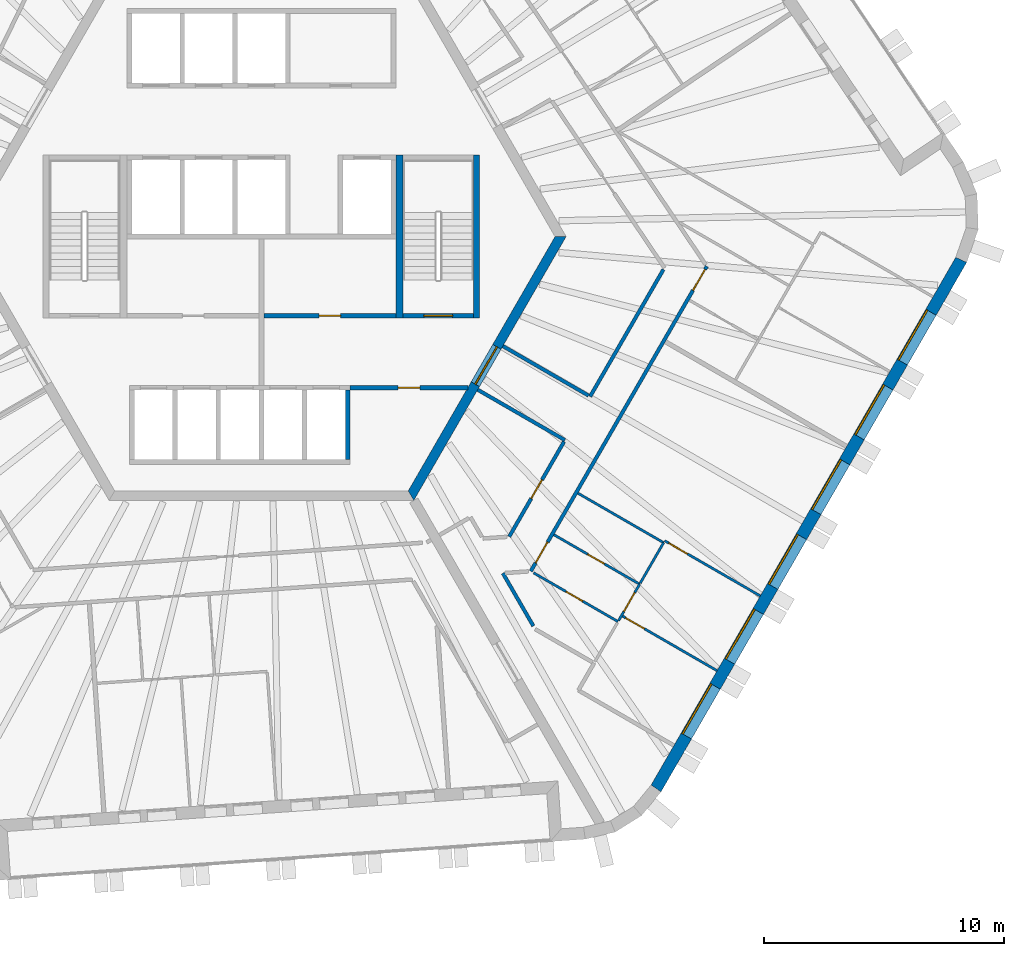
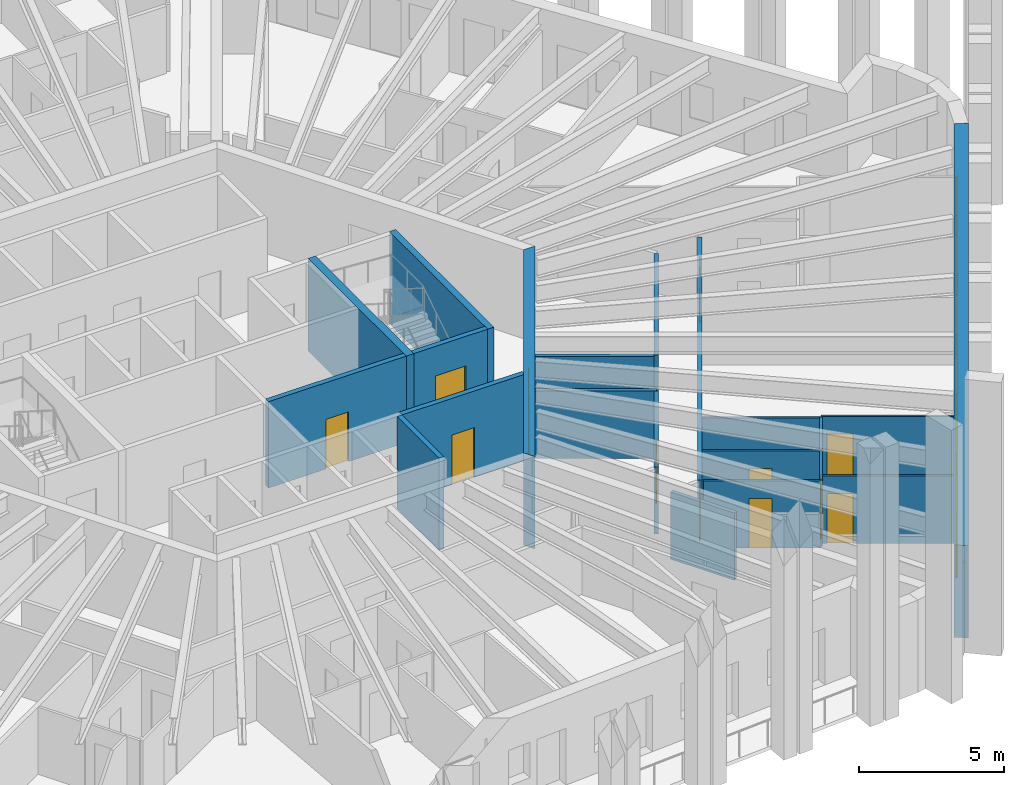
# One storey, part 6 of 13: 21 walls, 12 doors, 6 windows, 18 openings.
"""IFC4 building model written with IfcOpenShell, lengths in metres."""

import ifcopenshell
import ifcopenshell.guid

model = None  # the IFC model being written
_history = None  # IfcOwnerHistory: only IFC2X3 demands one
_inside = {}  # id of a spatial element -> (the spatial element, [elements in it])
_under = {}  # id of a project, library or spatial element -> (it, [spatial elements below it])
_declared = {}  # id of a project -> (the project, [libraries it declares])
_typed = {}  # id of a type object -> (the type object, [elements of that type])
_made_of = {}  # id of a material, layer set ... -> (it, [elements and type objects made of it])


def new_model(schema):
    """Start an empty IFC model of exactly this schema.

    Asked for "IFC4X3", IfcOpenShell would pick the latest addendum, in which some entities
    have other attributes; the version numbers below select the first issue.
    IFC2X3 requires an IfcOwnerHistory on every rooted entity: one is made here for all.
    """
    global model, _history
    if schema == "IFC4X3":
        model = ifcopenshell.file(schema_version=(4, 3, 0, 0))
    else:
        model = ifcopenshell.file(schema=schema)
    _inside.clear()
    _under.clear()
    _declared.clear()
    _typed.clear()
    _made_of.clear()
    _history = None
    if model.schema == "IFC2X3":
        org = make("IfcOrganization", Name="unknown")
        user = make(
            "IfcPersonAndOrganization",
            ThePerson=make("IfcPerson", FamilyName="unknown"),
            TheOrganization=org,
        )
        app = make(
            "IfcApplication",
            ApplicationDeveloper=org,
            Version="unknown",
            ApplicationFullName="unknown",
            ApplicationIdentifier="unknown",
        )
        _history = make(
            "IfcOwnerHistory",
            OwningUser=user,
            OwningApplication=app,
            ChangeAction="ADDED",
            CreationDate=0,
        )
    return model


def make(cls, **values):
    """One entity of the class cls with the attributes given. An attribute that is None is left unset."""
    return model.create_entity(
        cls, **{name: value for name, value in values.items() if value is not None}
    )


def rooted(cls, **values):
    """An entity with a GlobalId (a new one), such as an element, a storey or a relation."""
    return make(cls, GlobalId=ifcopenshell.guid.new(), OwnerHistory=_history, **values)


def si_unit(unit_type, name, prefix=None):
    """IfcSIUnit, for example si_unit("LENGTHUNIT", "METRE", prefix="MILLI")."""
    return make("IfcSIUnit", UnitType=unit_type, Prefix=prefix, Name=name)


def assignment(units):
    """IfcUnitAssignment: the units of a project."""
    return None if units is None else make("IfcUnitAssignment", Units=units)


def point(xyz):
    """IfcCartesianPoint."""
    return None if xyz is None else make("IfcCartesianPoint", Coordinates=xyz)


def direction(xyz):
    """IfcDirection."""
    return None if xyz is None else make("IfcDirection", DirectionRatios=xyz)


def frame(location, z_axis=None, x_axis=None):
    """IfcAxis2Placement3D, a coordinate frame: its origin and axes. An axis left out is left unset."""
    return make(
        "IfcAxis2Placement3D",
        Location=point(location),
        Axis=direction(z_axis),
        RefDirection=direction(x_axis),
    )


def frame_2d(location, x_axis=None):
    """IfcAxis2Placement2D, a coordinate frame in the plane: its origin and x axis."""
    return make(
        "IfcAxis2Placement2D", Location=point(location), RefDirection=direction(x_axis)
    )


def origin():
    """The frame at (0, 0, 0) with its axes left unset."""
    return frame((0.0, 0.0, 0.0))


def place(relative_to, where):
    """IfcLocalPlacement: puts the frame where relative to a parent placement (None: the world)."""
    return make(
        "IfcLocalPlacement", PlacementRelTo=relative_to, RelativePlacement=where
    )


def context(
    kind, dimensions, precision=None, world=None, true_north=None, identifier=None
):
    """IfcGeometricRepresentationContext, for example the 3D "Model" context."""
    return make(
        "IfcGeometricRepresentationContext",
        ContextIdentifier=identifier,
        ContextType=kind,
        CoordinateSpaceDimension=dimensions,
        Precision=precision,
        WorldCoordinateSystem=world,
        TrueNorth=true_north,
    )


def subcontext(parent, identifier, kind, view, scale=None):
    """IfcGeometricRepresentationSubContext, for example "Body" below "Model"."""
    return make(
        "IfcGeometricRepresentationSubContext",
        ContextIdentifier=identifier,
        ContextType=kind,
        ParentContext=parent,
        TargetScale=scale,
        TargetView=view,
    )


def project(units=None, contexts=None):
    """IfcProject with its units and contexts."""
    return rooted(
        "IfcProject",
        Name="project",
        RepresentationContexts=contexts,
        UnitsInContext=assignment(units),
    )


def spatial(cls, under=None, at=None, **own):
    """A site, building, storey or space (cls), placed at a placement, below another one or the project."""
    s = rooted(cls, ObjectPlacement=at, **own)
    if under is not None:
        _under.setdefault(under.id(), (under, []))[1].append(s)
    return s


def polyline(points):
    """IfcPolyline through the points."""
    return make("IfcPolyline", Points=[point(p) for p in points])


def profile(cls, at=None, kind="AREA", **sizes):
    """A parametric profile (cls). Its sizes go by their IFC names, for example OverallWidth=200.0."""
    return make(cls, ProfileType=kind, Position=at, **sizes)


def rectangle(**sizes):
    """IfcRectangleProfileDef."""
    return profile("IfcRectangleProfileDef", **sizes)


def outline(outer, holes=None, kind="AREA"):
    """IfcArbitraryClosedProfileDef: a profile drawn as a closed curve; with holes, ...WithVoids."""
    if holes is None:
        return make("IfcArbitraryClosedProfileDef", ProfileType=kind, OuterCurve=outer)
    return make(
        "IfcArbitraryProfileDefWithVoids",
        ProfileType=kind,
        OuterCurve=outer,
        InnerCurves=holes,
    )


def extrude(swept, where, along, depth):
    """IfcExtrudedAreaSolid: the profile swept, set in the frame where, extruded along a direction by depth."""
    return make(
        "IfcExtrudedAreaSolid",
        SweptArea=swept,
        Position=where,
        ExtrudedDirection=direction(along),
        Depth=depth,
    )


def shape(context_of_items, identifier, shape_type, items):
    """IfcShapeRepresentation: the items that make up one representation, for example the "Body"."""
    return make(
        "IfcShapeRepresentation",
        ContextOfItems=context_of_items,
        RepresentationIdentifier=identifier,
        RepresentationType=shape_type,
        Items=items,
    )


def material(Name=None, Category=None):
    """IfcMaterial."""
    return make("IfcMaterial", Name=Name, Category=Category)


def layer(
    of_material, thickness, ventilated=None, Name=None, Category=None, Priority=None
):
    """IfcMaterialLayer: one layer of a wall or slab, of a material (None: an air gap)."""
    return make(
        "IfcMaterialLayer",
        Material=of_material,
        LayerThickness=thickness,
        IsVentilated=ventilated,
        Name=Name,
        Category=Category,
        Priority=Priority,
    )


def layer_set(layers, Name=None):
    """IfcMaterialLayerSet."""
    return make("IfcMaterialLayerSet", MaterialLayers=layers, LayerSetName=Name)


def made_of(thing, what):
    """Note that an element or type object is made of a material, layer set ...; save() writes the relation."""
    if what is not None:
        _made_of.setdefault(what.id(), (what, []))[1].append(thing)
    return thing


def type_object(cls, material=None, **own):
    """A type object (cls), such as IfcWallType, which elements share."""
    return made_of(rooted(cls, **own), material)


def element(
    cls,
    number,
    at=None,
    inside=None,
    cuts=None,
    type_object=None,
    material=None,
    context=None,
    identifier="Body",
    shape_type=None,
    held_by="IfcProductDefinitionShape",
    body=None,
    shapes=None,
    **own,
):
    """One element of the class cls, such as IfcWall. Its Tag is "e" and its number.

    at: its placement. inside: the storey or other place that contains it. cuts: it is an
    opening in that element (IfcRelVoidsElement). A single representation is given by context,
    identifier, shape_type and body (its items); several are given by shapes. held_by: the class
    of the entity that holds the representations. save() writes the other relations.
    """
    e = rooted(cls, Tag="e%d" % number, ObjectPlacement=at, **own)
    if body is not None:
        shapes = [shape(context, identifier, shape_type, body)]
    if shapes is not None:
        e.Representation = make(held_by, Representations=shapes)
    if inside is not None:
        _inside.setdefault(inside.id(), (inside, []))[1].append(e)
    if cuts is not None:
        rooted(
            "IfcRelVoidsElement", RelatingBuildingElement=cuts, RelatedOpeningElement=e
        )
    if type_object is not None:
        _typed.setdefault(type_object.id(), (type_object, []))[1].append(e)
    return made_of(e, material)


def fill(opening, filler):
    """IfcRelFillsElement: the door or window that sits in an opening."""
    return rooted(
        "IfcRelFillsElement",
        RelatingOpeningElement=opening,
        RelatedBuildingElement=filler,
    )


def aggregate(whole, parts):
    """IfcRelAggregates: a whole, such as a stair, and the parts it consists of."""
    return rooted("IfcRelAggregates", RelatingObject=whole, RelatedObjects=parts)


def save(model, path):
    """Write the relations noted so far, then the file.

    IfcRelAggregates (storeys below a building ...), IfcRelContainedInSpatialStructure (elements
    in a storey), IfcRelDefinesByType, IfcRelAssociatesMaterial and IfcRelDeclares: one each for
    every whole, place, type object, material and project.
    """
    for whole, parts in _under.values():
        aggregate(whole, parts)
    for where, things in _inside.values():
        rooted(
            "IfcRelContainedInSpatialStructure",
            RelatedElements=things,
            RelatingStructure=where,
        )
    for kind, things in _typed.values():
        rooted("IfcRelDefinesByType", RelatedObjects=things, RelatingType=kind)
    for what, things in _made_of.values():
        rooted("IfcRelAssociatesMaterial", RelatedObjects=things, RelatingMaterial=what)
    for by, libraries in _declared.values():
        rooted("IfcRelDeclares", RelatingContext=by, RelatedDefinitions=libraries)
    model.write(path)


model = new_model("IFC4")

# Units and contexts
model_context = context("Model", 3, precision=1e-05, world=origin(), true_north=direction((0.0, 1.0)))
body_context = subcontext(model_context, "Body", "Model", "MODEL_VIEW")
ifc_project = project(units=[si_unit("LENGTHUNIT", "METRE"), si_unit("AREAUNIT", "SQUARE_METRE"), si_unit("VOLUMEUNIT", "CUBIC_METRE"), si_unit("PLANEANGLEUNIT", "RADIAN"), si_unit("MASSUNIT", "GRAM", prefix="KILO")], contexts=[model_context])

# Site, building, storey
site_placement = place(None, origin())
site = spatial("IfcSite", under=ifc_project, at=site_placement, CompositionType="ELEMENT")
building_placement = place(site_placement, origin())
building = spatial("IfcBuilding", under=site, at=building_placement, Name="Tarnside Tower", CompositionType="ELEMENT")
storey_placement = place(building_placement, frame((0.0, 0.0, 326.39990234375)))
storey = spatial("IfcBuildingStorey", under=building, at=storey_placement, Name="L79", CompositionType="ELEMENT", Elevation=326.39990234375)

# Wall
ifc_material_1 = material(Name="Gypsum board partition on steel studs", Category="steel")
ifc_layer_1 = layer(ifc_material_1, 0.10009765625)
ifc_layer_set_1 = layer_set([ifc_layer_1], Name="Bathroom wall 100")
wall_type_1 = type_object("IfcWallType", Name="Bathroom wall 100", PredefinedType="PARTITIONING", material=ifc_layer_set_1)
wall_1_placement = place(storey_placement, frame((13.194091796875, -10.697265625, 0.0), z_axis=(0.0, 0.0, 1.0), x_axis=(0.866019999656, -0.500009360108, 0.0)))
element("IfcWall", 1, at=wall_1_placement, inside=storey, type_object=wall_type_1, Name="Bathroom wall 26137", PredefinedType="PARTITIONING", context=body_context, shape_type="SweptSolid", body=[
    extrude(rectangle(XDim=4.125, YDim=0.10009765625, at=frame_2d((2.0625, 0.0))), origin(), (0.0, 0.0, 1.0), 2.837890625),
])

# Wall, opening, door
wall_2_placement = place(storey_placement, frame((15.766357421875, -14.491943359375, 0.0), z_axis=(0.0, 0.0, 1.0), x_axis=(-0.866019999656, 0.500009360108, 0.0)))
wall_2 = element("IfcWall", 2, at=wall_2_placement, inside=storey, type_object=wall_type_1, Name="Bathroom wall 26141", PredefinedType="PARTITIONING", context=body_context, shape_type="SweptSolid", body=[
    extrude(rectangle(XDim=4.125, YDim=0.10009765625, at=frame_2d((2.0625, 0.0))), origin(), (0.0, 0.0, 1.0), 2.837890625),
])
opening_1_placement = place(wall_2_placement, frame((1.699951171875, 0.0, 0.0)))
opening_1 = element("IfcOpeningElement", 3, at=opening_1_placement, cuts=wall_2, Name="Opening D-B1", PredefinedType="OPENING", context=body_context, shape_type="SweptSolid", body=[
    extrude(rectangle(XDim=0.800048828125, YDim=2.10009765625, at=frame_2d((0.39990234375, 1.050048828125))), frame((0.0, 0.06005859375, 0.0), z_axis=(0.0, -1.0, 0.0), x_axis=(1.0, 0.0, 0.0)), (0.0, 0.0, 1.0), 0.1201171875),
])
ifc_material_2 = material(Name="Timber door leaf", Category="wood")
door_type_1 = type_object("IfcDoorType", Name="Bathroom door 800", OperationType="NOTDEFINED", PredefinedType="DOOR", material=ifc_material_2)
door_1_placement = place(opening_1_placement, origin())
door_1 = element("IfcDoor", 4, at=door_1_placement, inside=storey, type_object=door_type_1, Name="Bathroom door 26041", OperationType="SINGLE_SWING_LEFT", OverallHeight=2.10009765625, OverallWidth=0.800048828125, PredefinedType="DOOR", context=body_context, shape_type="SweptSolid", body=[
    extrude(rectangle(XDim=0.800048828125, YDim=2.10009765625, at=frame_2d((0.39990234375, 1.050048828125))), frame((0.0, 0.02490234375, 0.0), z_axis=(0.0, -1.0, 0.0), x_axis=(1.0, 0.0, 0.0)), (0.0, 0.0, 1.0), 0.050048828125),
])
fill(opening_1, door_1)

wall_3_placement = place(storey_placement, frame((11.34521484375, -14.017822265625, 0.0), z_axis=(0.0, 0.0, 1.0), x_axis=(0.866028600041, -0.49999446388, 0.0)))
wall_3 = element("IfcWall", 5, at=wall_3_placement, inside=storey, type_object=wall_type_1, Name="Bathroom wall 26144", PredefinedType="PARTITIONING", context=body_context, shape_type="SweptSolid", body=[
    extrude(rectangle(XDim=4.06591796875, YDim=0.10009765625, at=frame_2d((2.032958984375, 0.0))), origin(), (0.0, 0.0, 1.0), 2.837890625),
])
opening_2_placement = place(wall_3_placement, frame((1.56591796875, 0.0, 0.0)))
opening_2 = element("IfcOpeningElement", 6, at=opening_2_placement, cuts=wall_3, Name="Opening D-B1", PredefinedType="OPENING", context=body_context, shape_type="SweptSolid", body=[
    extrude(rectangle(XDim=0.800048828125, YDim=2.10009765625, at=frame_2d((0.39990234375, 1.050048828125))), frame((0.0, 0.06005859375, 0.0), z_axis=(0.0, -1.0, 0.0), x_axis=(1.0, 0.0, 0.0)), (0.0, 0.0, 1.0), 0.1201171875),
])
door_2_placement = place(opening_2_placement, origin())
door_2 = element("IfcDoor", 7, at=door_2_placement, inside=storey, type_object=door_type_1, Name="Bathroom door 26050", OperationType="SINGLE_SWING_RIGHT", OverallHeight=2.10009765625, OverallWidth=0.800048828125, PredefinedType="DOOR", context=body_context, shape_type="SweptSolid", body=[
    extrude(rectangle(XDim=0.800048828125, YDim=2.10009765625, at=frame_2d((0.39990234375, 1.050048828125))), frame((0.0, 0.02490234375, 0.0), z_axis=(0.0, -1.0, 0.0), x_axis=(1.0, 0.0, 0.0)), (0.0, 0.0, 1.0), 0.050048828125),
])
fill(opening_2, door_2)

# Wall
wall_4_placement = place(storey_placement, frame((15.790283203125, -14.4501953125, 0.0), z_axis=(0.0, 0.0, 1.0), x_axis=(0.500036104519, 0.866004557827, 0.0)))
element("IfcWall", 8, at=wall_4_placement, inside=storey, type_object=wall_type_1, Name="Bathroom wall 26145", PredefinedType="PARTITIONING", context=body_context, shape_type="SweptSolid", body=[
    extrude(rectangle(XDim=1.953857421875, YDim=0.10009765625, at=frame_2d((0.97705078125, 0.0))), origin(), (0.0, 0.0, 1.0), 2.837890625),
])

# Wall, opening, door
ifc_material_3 = material(Name="Concrete C40/50", Category="concrete")
ifc_layer_2 = layer(ifc_material_3, 0.199951171875)
ifc_layer_set_2 = layer_set([ifc_layer_2], Name="Core room partition 200 C40/50")
wall_type_2 = type_object("IfcWallType", Name="Core room partition 200 C40/50", PredefinedType="PARTITIONING", material=ifc_layer_set_2)
wall_5_placement = place(storey_placement, frame((0.10009765625, -3.300048828125, 0.0), z_axis=(0.0, 0.0, 1.0), x_axis=(1.0, 0.0, 0.0)))
wall_5 = element("IfcWall", 9, at=wall_5_placement, inside=storey, type_object=wall_type_2, Name="L79 core partition R3S1", PredefinedType="PARTITIONING", context=body_context, shape_type="SweptSolid", body=[
    extrude(rectangle(XDim=5.5, YDim=0.199951171875, at=frame_2d((2.75, 0.0))), origin(), (0.0, 0.0, 1.0), 3.650146484375),
])
opening_3_placement = place(wall_5_placement, frame((2.300048828125, 0.0, 0.0)))
opening_3 = element("IfcOpeningElement", 10, at=opening_3_placement, cuts=wall_5, Name="Opening CD-room", PredefinedType="OPENING", context=body_context, shape_type="SweptSolid", body=[
    extrude(rectangle(XDim=0.89990234375, YDim=2.10009765625, at=frame_2d((0.449951171875, 1.050048828125))), frame((0.0, 0.10986328125, 0.0), z_axis=(0.0, -1.0, 0.0), x_axis=(1.0, 0.0, 0.0)), (0.0, 0.0, 1.0), 0.219970703125),
])
ifc_material_4 = material(Name="Steel fire door", Category="steel")
door_type_2 = type_object("IfcDoorType", Name="Room door FD60 900x2100", OperationType="NOTDEFINED", PredefinedType="DOOR", material=ifc_material_4)
door_3_placement = place(opening_3_placement, origin())
door_3 = element("IfcDoor", 11, at=door_3_placement, inside=storey, type_object=door_type_2, Name="L79 core room door SR1", OperationType="SINGLE_SWING_LEFT", OverallHeight=2.10009765625, OverallWidth=0.89990234375, PredefinedType="DOOR", context=body_context, shape_type="SweptSolid", body=[
    extrude(rectangle(XDim=0.89990234375, YDim=2.10009765625, at=frame_2d((0.449951171875, 1.050048828125))), frame((0.0, 0.02490234375, 0.0), z_axis=(0.0, -1.0, 0.0), x_axis=(1.0, 0.0, 0.0)), (0.0, 0.0, 1.0), 0.050048828125),
])
fill(opening_3, door_3)

wall_6_placement = place(storey_placement, frame((3.699951171875, -6.300048828125, 0.0), z_axis=(0.0, 0.0, 1.0), x_axis=(1.0, 0.0, 0.0)))
wall_6 = element("IfcWall", 12, at=wall_6_placement, inside=storey, type_object=wall_type_2, Name="L79 core partition R4X", PredefinedType="PARTITIONING", context=body_context, shape_type="SweptSolid", body=[
    extrude(rectangle(XDim=4.902587890625, YDim=0.199951171875, at=frame_2d((2.451171875, 0.0))), origin(), (0.0, 0.0, 1.0), 3.650146484375),
])
opening_4_placement = place(wall_6_placement, frame((2.001220703125, 0.0, 0.0)))
opening_4 = element("IfcOpeningElement", 13, at=opening_4_placement, cuts=wall_6, Name="Opening CD-room", PredefinedType="OPENING", context=body_context, shape_type="SweptSolid", body=[
    extrude(rectangle(XDim=0.89990234375, YDim=2.10009765625, at=frame_2d((0.449951171875, 1.050048828125))), frame((0.0, 0.10986328125, 0.0), z_axis=(0.0, -1.0, 0.0), x_axis=(1.0, 0.0, 0.0)), (0.0, 0.0, 1.0), 0.219970703125),
])
door_4_placement = place(opening_4_placement, origin())
door_4 = element("IfcDoor", 14, at=door_4_placement, inside=storey, type_object=door_type_2, Name="L79 core room door RX", OperationType="SINGLE_SWING_LEFT", OverallHeight=2.10009765625, OverallWidth=0.89990234375, PredefinedType="DOOR", context=body_context, shape_type="SweptSolid", body=[
    extrude(rectangle(XDim=0.89990234375, YDim=2.10009765625, at=frame_2d((0.449951171875, 1.050048828125))), frame((0.0, 0.02490234375, 0.0), z_axis=(0.0, -1.0, 0.0), x_axis=(1.0, 0.0, 0.0)), (0.0, 0.0, 1.0), 0.050048828125),
])
fill(opening_4, door_4)

ifc_material_5 = material(Name="Concrete C60/75", Category="concrete")
ifc_layer_3 = layer(ifc_material_5, 0.39990234375)
ifc_layer_set_3 = layer_set([ifc_layer_3], Name="Core wall Z3 400 C60/75")
wall_type_3 = type_object("IfcWallType", Name="Core wall Z3 400 C60/75", PredefinedType="SHEAR", material=ifc_layer_set_3)
wall_7_placement = place(storey_placement, frame((6.2353515625, -10.800048828125, -0.14990234375), z_axis=(0.0, 0.0, 1.0), x_axis=(0.499996419489, 0.866027470984, 0.0)))
wall_7 = element("IfcWall", 15, at=wall_7_placement, inside=storey, type_object=wall_type_3, Name="L79 core wall face 5", PredefinedType="SHEAR", context=body_context, shape_type="SweptSolid", body=[
    extrude(outline(polyline([(-0.115478515625, -0.199951171875), (12.586181640625, -0.199951171875), (12.355224609375, 0.199951171875), (0.115478515625, 0.199951171875), (-0.115478515625, -0.199951171875)])), origin(), (0.0, 0.0, 1.0), 3.89990234375),
])
opening_5_placement = place(wall_7_placement, frame((5.3642578125, 0.0, 0.14990234375)))
opening_5 = element("IfcOpeningElement", 16, at=opening_5_placement, cuts=wall_7, Name="Opening CD-FFL", PredefinedType="OPENING", context=body_context, shape_type="SweptSolid", body=[
    extrude(rectangle(XDim=1.800048828125, YDim=2.39990234375, at=frame_2d((0.89990234375, 1.199951171875))), frame((0.0, 0.2099609375, 0.0), z_axis=(0.0, -1.0, 0.0), x_axis=(1.0, 0.0, 0.0)), (0.0, 0.0, 1.0), 0.419921875),
])
door_type_3 = type_object("IfcDoorType", Name="Firefighting lobby double door FD60S 1800x2400", OperationType="NOTDEFINED", PredefinedType="DOOR", material=ifc_material_4)
door_5_placement = place(opening_5_placement, origin())
door_5 = element("IfcDoor", 17, at=door_5_placement, inside=storey, type_object=door_type_3, Name="L79 core door P4", OperationType="DOUBLE_DOOR_SINGLE_SWING", OverallHeight=2.39990234375, OverallWidth=1.800048828125, PredefinedType="DOOR", context=body_context, shape_type="SweptSolid", body=[
    extrude(rectangle(XDim=1.800048828125, YDim=2.39990234375, at=frame_2d((0.89990234375, 1.199951171875))), frame((0.0, 0.02490234375, 0.0), z_axis=(0.0, -1.0, 0.0), x_axis=(1.0, 0.0, 0.0)), (0.0, 0.0, 1.0), 0.050048828125),
])
fill(opening_5, door_5)

# Wall, openings, doors
ifc_layer_4 = layer(ifc_material_1, 0.14990234375)
ifc_layer_set_4 = layer_set([ifc_layer_4], Name="Corridor wall 150 EI 60")
wall_type_4 = type_object("IfcWallType", Name="Corridor wall 150 EI 60", PredefinedType="PARTITIONING", material=ifc_layer_set_4)
wall_8_placement = place(storey_placement, frame((11.22900390625, -13.95068359375, 0.0), z_axis=(0.0, 0.0, 1.0), x_axis=(0.499997948852, 0.866026588012, 0.0)))
wall_8 = element("IfcWall", 18, at=wall_8_placement, inside=storey, type_object=wall_type_4, Name="Corridor wall 26054", PredefinedType="PARTITIONING", context=body_context, shape_type="SweptSolid", body=[
    extrude(rectangle(XDim=14.67724609375, YDim=0.14990234375, at=frame_2d((7.338623046875, 0.0))), origin(), (0.0, 0.0, 1.0), 2.837890625),
])
opening_6_placement = place(wall_8_placement, frame((0.39990234375, 0.0, 0.0)))
opening_6 = element("IfcOpeningElement", 19, at=opening_6_placement, cuts=wall_8, Name="Opening D-E1", PredefinedType="OPENING", context=body_context, shape_type="SweptSolid", body=[
    extrude(rectangle(XDim=1.0, YDim=2.10009765625, at=frame_2d((0.5, 1.050048828125))), frame((0.0, 0.0849609375, 0.0), z_axis=(0.0, -1.0, 0.0), x_axis=(1.0, 0.0, 0.0)), (0.0, 0.0, 1.0), 0.169921875),
])
opening_7_placement = place(wall_8_placement, frame((13.52734375, 0.0, 0.0)))
opening_7 = element("IfcOpeningElement", 20, at=opening_7_placement, cuts=wall_8, Name="Opening D-E1", PredefinedType="OPENING", context=body_context, shape_type="SweptSolid", body=[
    extrude(rectangle(XDim=1.0, YDim=2.10009765625, at=frame_2d((0.5, 1.050048828125))), frame((0.0, 0.0849609375, 0.0), z_axis=(0.0, -1.0, 0.0), x_axis=(1.0, 0.0, 0.0)), (0.0, 0.0, 1.0), 0.169921875),
])
door_type_4 = type_object("IfcDoorType", Name="Unit entrance door 1000 FD30S", OperationType="NOTDEFINED", PredefinedType="DOOR", material=ifc_material_2)
door_6_placement = place(opening_6_placement, origin())
door_6 = element("IfcDoor", 21, at=door_6_placement, inside=storey, type_object=door_type_4, Name="Unit door 26040", OperationType="SINGLE_SWING_RIGHT", OverallHeight=2.10009765625, OverallWidth=1.0, PredefinedType="DOOR", context=body_context, shape_type="SweptSolid", body=[
    extrude(rectangle(XDim=1.0, YDim=2.10009765625, at=frame_2d((0.5, 1.050048828125))), frame((0.0, 0.02490234375, 0.0), z_axis=(0.0, -1.0, 0.0), x_axis=(1.0, 0.0, 0.0)), (0.0, 0.0, 1.0), 0.050048828125),
])
fill(opening_6, door_6)
door_7_placement = place(opening_7_placement, origin())
door_7 = element("IfcDoor", 22, at=door_7_placement, inside=storey, type_object=door_type_4, Name="Unit door 26051", OperationType="SINGLE_SWING_LEFT", OverallHeight=2.10009765625, OverallWidth=1.0, PredefinedType="DOOR", context=body_context, shape_type="SweptSolid", body=[
    extrude(rectangle(XDim=1.0, YDim=2.10009765625, at=frame_2d((0.5, 1.050048828125))), frame((0.0, 0.02490234375, 0.0), z_axis=(0.0, -1.0, 0.0), x_axis=(1.0, 0.0, 0.0)), (0.0, 0.0, 1.0), 0.050048828125),
])
fill(opening_7, door_7)

# Walls
wall_9_placement = place(storey_placement, frame((11.336669921875, -16.235595703125, 0.0), z_axis=(0.0, 0.0, 1.0), x_axis=(-0.500029781311, 0.866008208854, 0.0)))
element("IfcWall", 23, at=wall_9_placement, inside=storey, type_object=wall_type_4, Name="Corridor wall 26060", PredefinedType="PARTITIONING", context=body_context, shape_type="SweptSolid", body=[
    extrude(rectangle(XDim=2.544189453125, YDim=0.14990234375, at=frame_2d((1.27197265625, 0.0))), origin(), (0.0, 0.0, 1.0), 2.837890625),
])
wall_10_placement = place(storey_placement, frame((9.015625, -6.38427734375, 0.0), z_axis=(0.0, 0.0, 1.0), x_axis=(0.866023935413, -0.500002543286, 0.0)))
element("IfcWall", 24, at=wall_10_placement, inside=storey, type_object=wall_type_4, Name="Corridor wall 26072", PredefinedType="PARTITIONING", context=body_context, shape_type="SweptSolid", body=[
    extrude(rectangle(XDim=4.2001953125, YDim=0.14990234375, at=frame_2d((2.10009765625, 0.0))), origin(), (0.0, 0.0, 1.0), 2.837890625),
])

# Wall, opening, door
wall_11_placement = place(storey_placement, frame((12.615478515625, -8.54931640625, 0.0), z_axis=(0.0, 0.0, 1.0), x_axis=(-0.499985850067, -0.866033573098, 0.0)))
wall_11 = element("IfcWall", 25, at=wall_11_placement, inside=storey, type_object=wall_type_4, Name="Corridor wall 26073", PredefinedType="PARTITIONING", context=body_context, shape_type="SweptSolid", body=[
    extrude(rectangle(XDim=4.573486328125, YDim=0.14990234375, at=frame_2d((2.28662109375, 0.0))), origin(), (0.0, 0.0, 1.0), 2.837890625),
])
opening_8_placement = place(wall_11_placement, frame((1.836669921875, 0.0, 0.0)))
opening_8 = element("IfcOpeningElement", 26, at=opening_8_placement, cuts=wall_11, Name="Opening D-S1", PredefinedType="OPENING", context=body_context, shape_type="SweptSolid", body=[
    extrude(rectangle(XDim=0.89990234375, YDim=2.10009765625, at=frame_2d((0.449951171875, 1.050048828125))), frame((0.0, 0.0849609375, 0.0), z_axis=(0.0, -1.0, 0.0), x_axis=(1.0, 0.0, 0.0)), (0.0, 0.0, 1.0), 0.169921875),
])
door_type_5 = type_object("IfcDoorType", Name="Service room door 900 FD30S", OperationType="NOTDEFINED", PredefinedType="DOOR", material=ifc_material_2)
door_8_placement = place(opening_8_placement, origin())
door_8 = element("IfcDoor", 27, at=door_8_placement, inside=storey, type_object=door_type_5, Name="Service door 26075", OperationType="SINGLE_SWING_LEFT", OverallHeight=2.10009765625, OverallWidth=0.89990234375, PredefinedType="DOOR", context=body_context, shape_type="SweptSolid", body=[
    extrude(rectangle(XDim=0.89990234375, YDim=2.10009765625, at=frame_2d((0.449951171875, 1.050048828125))), frame((0.0, 0.02490234375, 0.0), z_axis=(0.0, -1.0, 0.0), x_axis=(1.0, 0.0, 0.0)), (0.0, 0.0, 1.0), 0.050048828125),
])
fill(opening_8, door_8)

# Walls
wall_12_placement = place(storey_placement, frame((16.75830078125, -1.373779296875, 0.0), z_axis=(0.0, 0.0, 1.0), x_axis=(-0.499980689202, -0.866036552592, 0.0)))
element("IfcWall", 28, at=wall_12_placement, inside=storey, type_object=wall_type_4, Name="Corridor wall 26079", PredefinedType="PARTITIONING", context=body_context, shape_type="SweptSolid", body=[
    extrude(rectangle(XDim=6.110595703125, YDim=0.14990234375, at=frame_2d((3.05517578125, 0.0))), origin(), (0.0, 0.0, 1.0), 2.837890625),
])
wall_13_placement = place(storey_placement, frame((13.63818359375, -6.628173828125, 0.0), z_axis=(0.0, 0.0, 1.0), x_axis=(-0.866034795751, 0.499983732284, 0.0)))
element("IfcWall", 29, at=wall_13_placement, inside=storey, type_object=wall_type_4, Name="Corridor wall 26080", PredefinedType="PARTITIONING", context=body_context, shape_type="SweptSolid", body=[
    extrude(rectangle(XDim=4.125244140625, YDim=0.14990234375, at=frame_2d((2.0625, 0.0))), origin(), (0.0, 0.0, 1.0), 2.837890625),
])
ifc_layer_5 = layer(ifc_material_3, 0.199951171875)
ifc_layer_set_5 = layer_set([ifc_layer_5], Name="Lift shaft wall 200 C40/50")
wall_type_5 = type_object("IfcWallType", Name="Lift shaft wall 200 C40/50", PredefinedType="SHEAR", material=ifc_layer_set_5)
wall_14_placement = place(storey_placement, frame((3.60009765625, -9.300048828125, -0.25), z_axis=(0.0, 0.0, 1.0), x_axis=(0.0, 1.0, 0.0)))
element("IfcWall", 30, at=wall_14_placement, inside=storey, type_object=wall_type_5, Name="L79 lift shaft partition R46", PredefinedType="SHEAR", context=body_context, shape_type="SweptSolid", body=[
    extrude(rectangle(XDim=2.900146484375, YDim=0.199951171875, at=frame_2d((1.4501953125, 0.0))), origin(), (0.0, 0.0, 1.0), 3.900146484375),
])

# Wall, opening, door
wall_15_placement = place(storey_placement, frame((5.89990234375, -3.300048828125, -0.25), z_axis=(0.0, 0.0, 1.0), x_axis=(1.0, 0.0, 0.0)))
wall_15 = element("IfcWall", 31, at=wall_15_placement, inside=storey, type_object=wall_type_5, Name="L79 stair 1 enclosure cap wall s", PredefinedType="SHEAR", context=body_context, shape_type="SweptSolid", body=[
    extrude(rectangle(XDim=2.9501953125, YDim=0.199951171875, at=frame_2d((1.47509765625, 0.0))), origin(), (0.0, 0.0, 1.0), 3.900146484375),
])
opening_9_placement = place(wall_15_placement, frame((0.875, 0.0, 0.25)))
opening_9 = element("IfcOpeningElement", 32, at=opening_9_placement, cuts=wall_15, Name="Opening CD-STR", PredefinedType="OPENING", context=body_context, shape_type="SweptSolid", body=[
    extrude(rectangle(XDim=1.199951171875, YDim=2.39990234375, at=frame_2d((0.60009765625, 1.199951171875))), frame((0.0, 0.10986328125, 0.0), z_axis=(0.0, -1.0, 0.0), x_axis=(1.0, 0.0, 0.0)), (0.0, 0.0, 1.0), 0.219970703125),
])
door_type_6 = type_object("IfcDoorType", Name="Stair door FD60S 1200x2400", OperationType="NOTDEFINED", PredefinedType="DOOR", material=ifc_material_4)
door_9_placement = place(opening_9_placement, origin())
door_9 = element("IfcDoor", 33, at=door_9_placement, inside=storey, type_object=door_type_6, Name="L79 stair 1 door", OperationType="SINGLE_SWING_LEFT", OverallHeight=2.39990234375, OverallWidth=1.199951171875, PredefinedType="DOOR", context=body_context, shape_type="SweptSolid", body=[
    extrude(rectangle(XDim=1.199951171875, YDim=2.39990234375, at=frame_2d((0.60009765625, 1.199951171875))), frame((0.0, 0.02490234375, 0.0), z_axis=(0.0, -1.0, 0.0), x_axis=(1.0, 0.0, 0.0)), (0.0, 0.0, 1.0), 0.050048828125),
])
fill(opening_9, door_9)

ifc_layer_6 = layer(ifc_material_1, 0.10009765625)
ifc_layer_set_6 = layer_set([ifc_layer_6], Name="Partition 100")
wall_type_6 = type_object("IfcWallType", Name="Partition 100", PredefinedType="PARTITIONING", material=ifc_layer_set_6)
wall_16_placement = place(storey_placement, frame((16.812255859375, -12.68017578125, 0.0), z_axis=(0.0, 0.0, 1.0), x_axis=(0.866030038822, -0.499991971794, 0.0)))
wall_16 = element("IfcWall", 34, at=wall_16_placement, inside=storey, type_object=wall_type_6, Name="Partition wall 26138", PredefinedType="PARTITIONING", context=body_context, shape_type="SweptSolid", body=[
    extrude(rectangle(XDim=4.60009765625, YDim=0.10009765625, at=frame_2d((2.300048828125, 0.0))), origin(), (0.0, 0.0, 1.0), 2.837890625),
])
opening_10_placement = place(wall_16_placement, frame((0.199951171875, 0.0, 0.0)))
opening_10 = element("IfcOpeningElement", 35, at=opening_10_placement, cuts=wall_16, Name="Opening D-I1", PredefinedType="OPENING", context=body_context, shape_type="SweptSolid", body=[
    extrude(rectangle(XDim=0.89990234375, YDim=2.10009765625, at=frame_2d((0.449951171875, 1.050048828125))), frame((0.0, 0.06005859375, 0.0), z_axis=(0.0, -1.0, 0.0), x_axis=(1.0, 0.0, 0.0)), (0.0, 0.0, 1.0), 0.1201171875),
])
door_type_7 = type_object("IfcDoorType", Name="Internal door 900", OperationType="NOTDEFINED", PredefinedType="DOOR", material=ifc_material_2)
door_10_placement = place(opening_10_placement, origin())
door_10 = element("IfcDoor", 36, at=door_10_placement, inside=storey, type_object=door_type_7, Name="Internal door 26049", OperationType="SINGLE_SWING_RIGHT", OverallHeight=2.10009765625, OverallWidth=0.89990234375, PredefinedType="DOOR", context=body_context, shape_type="SweptSolid", body=[
    extrude(rectangle(XDim=0.89990234375, YDim=2.10009765625, at=frame_2d((0.449951171875, 1.050048828125))), frame((0.0, 0.02490234375, 0.0), z_axis=(0.0, -1.0, 0.0), x_axis=(1.0, 0.0, 0.0)), (0.0, 0.0, 1.0), 0.050048828125),
])
fill(opening_10, door_10)

wall_17_placement = place(storey_placement, frame((14.890380859375, -16.009033203125, 0.0), z_axis=(0.0, 0.0, 1.0), x_axis=(0.499971461383, 0.866041879935, 0.0)))
wall_17 = element("IfcWall", 37, at=wall_17_placement, inside=storey, type_object=wall_type_6, Name="Partition wall 26142", PredefinedType="PARTITIONING", context=body_context, shape_type="SweptSolid", body=[
    extrude(rectangle(XDim=1.75390625, YDim=0.10009765625, at=frame_2d((0.876953125, 0.0))), origin(), (0.0, 0.0, 1.0), 2.837890625),
])
opening_11_placement = place(wall_17_placement, frame((0.44384765625, 0.0, 0.0)))
opening_11 = element("IfcOpeningElement", 38, at=opening_11_placement, cuts=wall_17, Name="Opening D-I1", PredefinedType="OPENING", context=body_context, shape_type="SweptSolid", body=[
    extrude(rectangle(XDim=0.89990234375, YDim=2.10009765625, at=frame_2d((0.449951171875, 1.050048828125))), frame((0.0, 0.06005859375, 0.0), z_axis=(0.0, -1.0, 0.0), x_axis=(1.0, 0.0, 0.0)), (0.0, 0.0, 1.0), 0.1201171875),
])
door_11_placement = place(opening_11_placement, origin())
door_11 = element("IfcDoor", 39, at=door_11_placement, inside=storey, type_object=door_type_7, Name="Internal door 26044", OperationType="SINGLE_SWING_RIGHT", OverallHeight=2.10009765625, OverallWidth=0.89990234375, PredefinedType="DOOR", context=body_context, shape_type="SweptSolid", body=[
    extrude(rectangle(XDim=0.89990234375, YDim=2.10009765625, at=frame_2d((0.449951171875, 1.050048828125))), frame((0.0, 0.02490234375, 0.0), z_axis=(0.0, -1.0, 0.0), x_axis=(1.0, 0.0, 0.0)), (0.0, 0.0, 1.0), 0.050048828125),
])
fill(opening_11, door_11)

wall_18_placement = place(storey_placement, frame((18.99609375, -18.097900390625, 0.0), z_axis=(0.0, 0.0, 1.0), x_axis=(-0.866035472144, 0.499982560684, 0.0)))
wall_18 = element("IfcWall", 40, at=wall_18_placement, inside=storey, type_object=wall_type_6, Name="Partition wall 26146", PredefinedType="PARTITIONING", context=body_context, shape_type="SweptSolid", body=[
    extrude(rectangle(XDim=4.550048828125, YDim=0.10009765625, at=frame_2d((2.27490234375, 0.0))), origin(), (0.0, 0.0, 1.0), 2.837890625),
])
opening_12_placement = place(wall_18_placement, frame((3.5, 0.0, 0.0)))
opening_12 = element("IfcOpeningElement", 41, at=opening_12_placement, cuts=wall_18, Name="Opening D-I1", PredefinedType="OPENING", context=body_context, shape_type="SweptSolid", body=[
    extrude(rectangle(XDim=0.89990234375, YDim=2.10009765625, at=frame_2d((0.449951171875, 1.050048828125))), frame((0.0, 0.06005859375, 0.0), z_axis=(0.0, -1.0, 0.0), x_axis=(1.0, 0.0, 0.0)), (0.0, 0.0, 1.0), 0.1201171875),
])
door_12_placement = place(opening_12_placement, origin())
door_12 = element("IfcDoor", 42, at=door_12_placement, inside=storey, type_object=door_type_7, Name="Internal door 26047", OperationType="SINGLE_SWING_RIGHT", OverallHeight=2.10009765625, OverallWidth=0.89990234375, PredefinedType="DOOR", context=body_context, shape_type="SweptSolid", body=[
    extrude(rectangle(XDim=0.89990234375, YDim=2.10009765625, at=frame_2d((0.449951171875, 1.050048828125))), frame((0.0, 0.02490234375, 0.0), z_axis=(0.0, -1.0, 0.0), x_axis=(1.0, 0.0, 0.0)), (0.0, 0.0, 1.0), 0.050048828125),
])
fill(opening_12, door_12)

# Walls
ifc_layer_7 = layer(ifc_material_3, 0.25)
ifc_layer_set_7 = layer_set([ifc_layer_7], Name="Stair enclosure wall 250 C40/50")
wall_type_7 = type_object("IfcWallType", Name="Stair enclosure wall 250 C40/50", PredefinedType="SHEAR", material=ifc_layer_set_7)
wall_19_placement = place(storey_placement, frame((8.97509765625, -3.39990234375, -0.25), z_axis=(0.0, 0.0, 1.0), x_axis=(0.0, 1.0, 0.0)))
element("IfcWall", 43, at=wall_19_placement, inside=storey, type_object=wall_type_7, Name="L79 stair 1 enclosure wall outer", PredefinedType="SHEAR", context=body_context, shape_type="SweptSolid", body=[
    extrude(rectangle(XDim=6.7998046875, YDim=0.25, at=frame_2d((3.39990234375, 0.0))), origin(), (0.0, 0.0, 1.0), 3.900146484375),
])
ifc_layer_8 = layer(ifc_material_3, 0.300048828125)
ifc_layer_set_8 = layer_set([ifc_layer_8], Name="Stair enclosure wall 300 C40/50")
wall_type_8 = type_object("IfcWallType", Name="Stair enclosure wall 300 C40/50", PredefinedType="SHEAR", material=ifc_layer_set_8)
wall_20_placement = place(storey_placement, frame((5.75, -3.39990234375, -0.25), z_axis=(0.0, 0.0, 1.0), x_axis=(0.0, 1.0, 0.0)))
element("IfcWall", 44, at=wall_20_placement, inside=storey, type_object=wall_type_8, Name="L79 stair 1 enclosure wall inner", PredefinedType="SHEAR", context=body_context, shape_type="SweptSolid", body=[
    extrude(rectangle(XDim=6.7998046875, YDim=0.300048828125, at=frame_2d((3.39990234375, 0.0))), origin(), (0.0, 0.0, 1.0), 3.900146484375),
])

# Wall, openings, windows
ifc_material_6 = material(Name="Facing brick", Category="masonry")
ifc_layer_9 = layer(ifc_material_6, 0.10205078125)
ifc_material_7 = material(Name="Concrete C60/75 precast", Category="concrete")
ifc_layer_10 = layer(ifc_material_7, 0.298095703125)
ifc_material_8 = material(Name="Mineral wool insulation")
ifc_layer_11 = layer(ifc_material_8, 0.10009765625)
ifc_layer_set_9 = layer_set([ifc_layer_9, ifc_layer_10, ifc_layer_11], Name="Tube wall 500 brick faced")
wall_type_9 = type_object("IfcWallType", Name="Tube wall 500 brick faced", PredefinedType="SOLIDWALL", material=ifc_layer_set_9)
wall_21_placement = place(storey_placement, frame((16.451416015625, -23.00537109375, -0.14990234375), z_axis=(0.0, 0.0, 1.0), x_axis=(0.500003737743, 0.866023245787, 0.0)))
wall_21 = element("IfcWall", 45, at=wall_21_placement, inside=storey, type_object=wall_type_9, Name="Tube wall L79 F5 flush 24", PredefinedType="SOLIDWALL", context=body_context, shape_type="SweptSolid", body=[
    extrude(outline(polyline([(-0.0205078125, -0.25), (25.468017578125, -0.25), (25.421142578125, 0.25), (0.0205078125, 0.25), (-0.0205078125, -0.25)])), origin(), (0.0, 0.0, 1.0), 3.89990234375),
])
opening_13_placement = place(wall_21_placement, frame((2.5224609375, 0.0, 0.75)))
opening_13 = element("IfcOpeningElement", 46, at=opening_13_placement, cuts=wall_21, Name="Opening WR", PredefinedType="OPENING", context=body_context, shape_type="SweptSolid", body=[
    extrude(rectangle(XDim=2.39990234375, YDim=2.699951171875, at=frame_2d((1.199951171875, 1.35009765625))), frame((0.0, 0.260009765625, 0.0), z_axis=(0.0, -1.0, 0.0), x_axis=(1.0, 0.0, 0.0)), (0.0, 0.0, 1.0), 0.52001953125),
])
opening_14_placement = place(wall_21_placement, frame((6.122314453125, 0.0, 0.75)))
opening_14 = element("IfcOpeningElement", 47, at=opening_14_placement, cuts=wall_21, Name="Opening WR", PredefinedType="OPENING", context=body_context, shape_type="SweptSolid", body=[
    extrude(rectangle(XDim=2.39990234375, YDim=2.699951171875, at=frame_2d((1.199951171875, 1.35009765625))), frame((0.0, 0.260009765625, 0.0), z_axis=(0.0, -1.0, 0.0), x_axis=(1.0, 0.0, 0.0)), (0.0, 0.0, 1.0), 0.52001953125),
])
opening_15_placement = place(wall_21_placement, frame((9.722412109375, 0.0, 0.75)))
opening_15 = element("IfcOpeningElement", 48, at=opening_15_placement, cuts=wall_21, Name="Opening WR", PredefinedType="OPENING", context=body_context, shape_type="SweptSolid", body=[
    extrude(rectangle(XDim=2.39990234375, YDim=2.699951171875, at=frame_2d((1.199951171875, 1.35009765625))), frame((0.0, 0.260009765625, 0.0), z_axis=(0.0, -1.0, 0.0), x_axis=(1.0, 0.0, 0.0)), (0.0, 0.0, 1.0), 0.52001953125),
])
opening_16_placement = place(wall_21_placement, frame((13.322509765625, 0.0, 0.75)))
opening_16 = element("IfcOpeningElement", 49, at=opening_16_placement, cuts=wall_21, Name="Opening WR", PredefinedType="OPENING", context=body_context, shape_type="SweptSolid", body=[
    extrude(rectangle(XDim=2.39990234375, YDim=2.699951171875, at=frame_2d((1.199951171875, 1.35009765625))), frame((0.0, 0.260009765625, 0.0), z_axis=(0.0, -1.0, 0.0), x_axis=(1.0, 0.0, 0.0)), (0.0, 0.0, 1.0), 0.52001953125),
])
opening_17_placement = place(wall_21_placement, frame((16.92236328125, 0.0, 0.75)))
opening_17 = element("IfcOpeningElement", 50, at=opening_17_placement, cuts=wall_21, Name="Opening WR", PredefinedType="OPENING", context=body_context, shape_type="SweptSolid", body=[
    extrude(rectangle(XDim=2.39990234375, YDim=2.699951171875, at=frame_2d((1.199951171875, 1.35009765625))), frame((0.0, 0.260009765625, 0.0), z_axis=(0.0, -1.0, 0.0), x_axis=(1.0, 0.0, 0.0)), (0.0, 0.0, 1.0), 0.52001953125),
])
opening_18_placement = place(wall_21_placement, frame((20.5224609375, 0.0, 0.75)))
opening_18 = element("IfcOpeningElement", 51, at=opening_18_placement, cuts=wall_21, Name="Opening WR", PredefinedType="OPENING", context=body_context, shape_type="SweptSolid", body=[
    extrude(rectangle(XDim=2.39990234375, YDim=2.699951171875, at=frame_2d((1.199951171875, 1.35009765625))), frame((0.0, 0.260009765625, 0.0), z_axis=(0.0, -1.0, 0.0), x_axis=(1.0, 0.0, 0.0)), (0.0, 0.0, 1.0), 0.52001953125),
])
ifc_material_9 = material(Name="Aluminium-framed double glazing", Category="aluminium")
window_type = type_object("IfcWindowType", Name="Residence window 2400 x 2700", PartitioningType="DOUBLE_PANEL_VERTICAL", PredefinedType="WINDOW", material=ifc_material_9)
window_1_placement = place(opening_13_placement, frame((0.0, 0.179931640625, 0.0)))
window_1 = element("IfcWindow", 52, at=window_1_placement, inside=storey, type_object=window_type, Name="E.WN.L79.F5.00", OverallHeight=2.699951171875, OverallWidth=2.39990234375, PartitioningType="DOUBLE_PANEL_VERTICAL", PredefinedType="WINDOW", context=body_context, shape_type="SweptSolid", body=[
    extrude(rectangle(XDim=2.39990234375, YDim=2.699951171875, at=frame_2d((1.199951171875, 1.35009765625))), frame((0.0, 0.030029296875, 0.0), z_axis=(0.0, -1.0, 0.0), x_axis=(1.0, 0.0, 0.0)), (0.0, 0.0, 1.0), 0.06005859375),
])
fill(opening_13, window_1)
window_2_placement = place(opening_14_placement, frame((0.0, 0.179931640625, 0.0)))
window_2 = element("IfcWindow", 53, at=window_2_placement, inside=storey, type_object=window_type, Name="E.WN.L79.F5.01", OverallHeight=2.699951171875, OverallWidth=2.39990234375, PartitioningType="DOUBLE_PANEL_VERTICAL", PredefinedType="WINDOW", context=body_context, shape_type="SweptSolid", body=[
    extrude(rectangle(XDim=2.39990234375, YDim=2.699951171875, at=frame_2d((1.199951171875, 1.35009765625))), frame((0.0, 0.030029296875, 0.0), z_axis=(0.0, -1.0, 0.0), x_axis=(1.0, 0.0, 0.0)), (0.0, 0.0, 1.0), 0.06005859375),
])
fill(opening_14, window_2)
window_3_placement = place(opening_15_placement, frame((0.0, 0.179931640625, 0.0)))
window_3 = element("IfcWindow", 54, at=window_3_placement, inside=storey, type_object=window_type, Name="E.WN.L79.F5.02", OverallHeight=2.699951171875, OverallWidth=2.39990234375, PartitioningType="DOUBLE_PANEL_VERTICAL", PredefinedType="WINDOW", context=body_context, shape_type="SweptSolid", body=[
    extrude(rectangle(XDim=2.39990234375, YDim=2.699951171875, at=frame_2d((1.199951171875, 1.35009765625))), frame((0.0, 0.030029296875, 0.0), z_axis=(0.0, -1.0, 0.0), x_axis=(1.0, 0.0, 0.0)), (0.0, 0.0, 1.0), 0.06005859375),
])
fill(opening_15, window_3)
window_4_placement = place(opening_16_placement, frame((0.0, 0.179931640625, 0.0)))
window_4 = element("IfcWindow", 55, at=window_4_placement, inside=storey, type_object=window_type, Name="E.WN.L79.F5.03", OverallHeight=2.699951171875, OverallWidth=2.39990234375, PartitioningType="DOUBLE_PANEL_VERTICAL", PredefinedType="WINDOW", context=body_context, shape_type="SweptSolid", body=[
    extrude(rectangle(XDim=2.39990234375, YDim=2.699951171875, at=frame_2d((1.199951171875, 1.35009765625))), frame((0.0, 0.030029296875, 0.0), z_axis=(0.0, -1.0, 0.0), x_axis=(1.0, 0.0, 0.0)), (0.0, 0.0, 1.0), 0.06005859375),
])
fill(opening_16, window_4)
window_5_placement = place(opening_17_placement, frame((0.0, 0.179931640625, 0.0)))
window_5 = element("IfcWindow", 56, at=window_5_placement, inside=storey, type_object=window_type, Name="E.WN.L79.F5.04", OverallHeight=2.699951171875, OverallWidth=2.39990234375, PartitioningType="DOUBLE_PANEL_VERTICAL", PredefinedType="WINDOW", context=body_context, shape_type="SweptSolid", body=[
    extrude(rectangle(XDim=2.39990234375, YDim=2.699951171875, at=frame_2d((1.199951171875, 1.35009765625))), frame((0.0, 0.030029296875, 0.0), z_axis=(0.0, -1.0, 0.0), x_axis=(1.0, 0.0, 0.0)), (0.0, 0.0, 1.0), 0.06005859375),
])
fill(opening_17, window_5)
window_6_placement = place(opening_18_placement, frame((0.0, 0.179931640625, 0.0)))
window_6 = element("IfcWindow", 57, at=window_6_placement, inside=storey, type_object=window_type, Name="E.WN.L79.F5.05", OverallHeight=2.699951171875, OverallWidth=2.39990234375, PartitioningType="DOUBLE_PANEL_VERTICAL", PredefinedType="WINDOW", context=body_context, shape_type="SweptSolid", body=[
    extrude(rectangle(XDim=2.39990234375, YDim=2.699951171875, at=frame_2d((1.199951171875, 1.35009765625))), frame((0.0, 0.030029296875, 0.0), z_axis=(0.0, -1.0, 0.0), x_axis=(1.0, 0.0, 0.0)), (0.0, 0.0, 1.0), 0.06005859375),
])
fill(opening_18, window_6)

save(model, "model.ifc")
